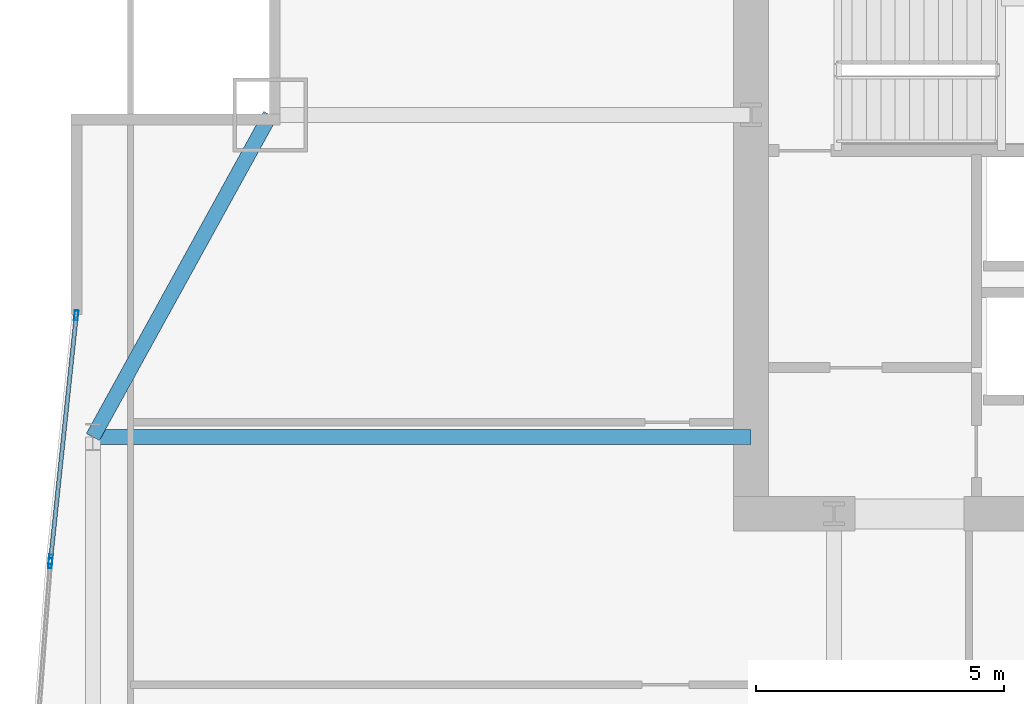
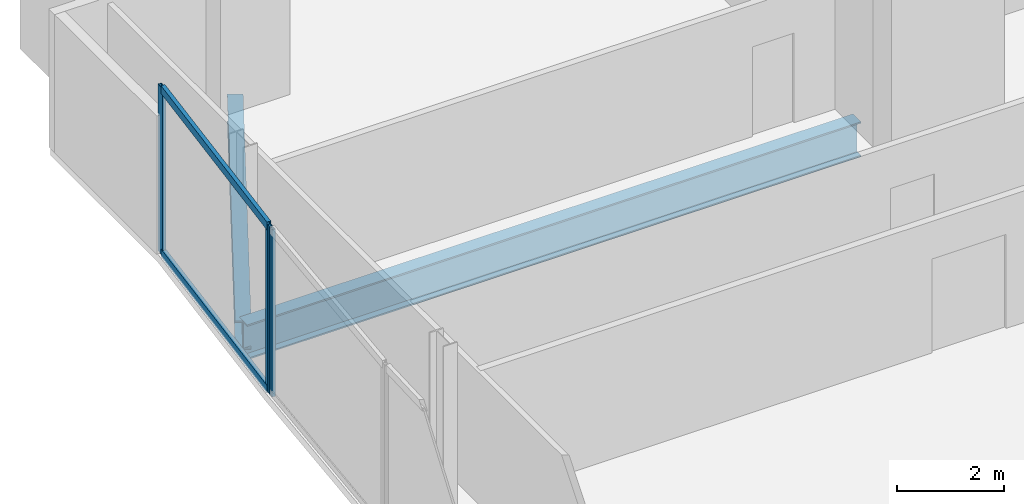
# One storey, part 17 of 30: 5 members, 2 beams, 2 elements without a shape of their own.
"""IFC4 building model written with IfcOpenShell, lengths in metres."""

from ifc_helpers import new_model, si_unit, direction, frame, origin, origin_2d, place, context, subcontext, project, spatial, hollow_rectangle, i_section, extrude, material, material_profile, profile_set, type_object, element, aggregate, save


model = new_model("IFC4")

# Units and contexts
model_context = context("Model", 3, precision=1e-05, world=origin(), true_north=direction((0.0, 1.0)))
body_context = subcontext(model_context, "Body", "Model", "MODEL_VIEW")
ifc_project = project(units=[si_unit("LENGTHUNIT", "METRE"), si_unit("AREAUNIT", "SQUARE_METRE"), si_unit("VOLUMEUNIT", "CUBIC_METRE"), si_unit("PLANEANGLEUNIT", "RADIAN"), si_unit("MASSUNIT", "GRAM", prefix="KILO")], contexts=[model_context])

# Site, building, storey
site_placement = place(None, origin())
site = spatial("IfcSite", under=ifc_project, at=site_placement, CompositionType="ELEMENT")
building_placement = place(site_placement, origin())
building = spatial("IfcBuilding", under=site, at=building_placement, Name="Khoronbel Lancet Exchange", CompositionType="ELEMENT")
storey_placement = place(building_placement, frame((0.0, 0.0, 98.60009765625)))
storey = spatial("IfcBuildingStorey", under=building, at=storey_placement, Name="L23", CompositionType="ELEMENT", Elevation=98.60009765625)

# Beams
ifc_material_1 = material(Name="Steel S355", Category="steel")
ifc_material_profile_1 = material_profile(ifc_material_1, i_section(OverallWidth=0.300048828125, OverallDepth=0.800048828125, WebThickness=0.017578125, FlangeThickness=0.032958984375, at=origin_2d()), Name="HEB 800")
ifc_profile_set_1 = profile_set([ifc_material_profile_1], Name="Steel S355")
beam_type_1 = type_object("IfcBeamType", Name="BM-BG2", PredefinedType="BEAM", material=ifc_profile_set_1)
beam_1_placement = place(storey_placement, frame((3.27001953125, 43.199951171875, -0.580078125), z_axis=(1.0, 0.0, 0.0), x_axis=(0.0, 1.0, 0.0)))
element("IfcBeam", 1, at=beam_1_placement, inside=storey, type_object=beam_type_1, Name="Level L23 west lens tie girder LG3W", PredefinedType="BEAM", context=body_context, shape_type="SweptSolid", body=[
    extrude(i_section(OverallWidth=0.300048828125, OverallDepth=0.800048828125, WebThickness=0.017578125, FlangeThickness=0.032958984375, at=origin_2d()), origin(), (0.0, 0.0, 1.0), 13.280029296875),
])
ifc_material_profile_2 = material_profile(ifc_material_1, i_section(OverallWidth=0.300048828125, OverallDepth=0.64990234375, WebThickness=0.01611328125, FlangeThickness=0.031005859375, at=origin_2d()), Name="HEB 650")
ifc_profile_set_2 = profile_set([ifc_material_profile_2], Name="Steel S355")
beam_type_2 = type_object("IfcBeamType", Name="BM-BSP1", PredefinedType="SPANDREL", material=ifc_profile_set_2)
beam_2_placement = place(storey_placement, frame((6.85009765625, 49.699951171875, -0.505126953125), z_axis=(-0.482444051088, -0.875926787791, 0.0), x_axis=(0.875926787791, -0.482444051088, 0.0)))
element("IfcBeam", 2, at=beam_2_placement, inside=storey, type_object=beam_type_2, Name="Level L23 perimeter spandrel beam SP16", PredefinedType="SPANDREL", context=body_context, shape_type="SweptSolid", body=[
    extrude(i_section(OverallWidth=0.300048828125, OverallDepth=0.64990234375, WebThickness=0.01611328125, FlangeThickness=0.031005859375, at=origin_2d()), origin(), (0.0, 0.0, 1.0), 7.420654296875),
])

# Curtain wall, member
ifc_material_2 = material(Name="Low-E Solar Control Insulating Glass", Category="glass")
curtain_wall_type = type_object("IfcCurtainWallType", Name="CW-4", PredefinedType="NOTDEFINED", material=ifc_material_2)
curtain_wall_1_placement = place(storey_placement, origin())
curtain_wall_1 = element("IfcCurtainWall", 3, at=curtain_wall_1_placement, inside=storey, type_object=curtain_wall_type, Name="Unitised curtain wall CW-L23-E08", PredefinedType="NOTDEFINED")
ifc_material_3 = material(Name="Bronze-Anodised Aluminium 6063-T6", Category="aluminium")
ifc_material_profile_3 = material_profile(ifc_material_3, hollow_rectangle(XDim=0.074951171875, YDim=0.199951171875, WallThickness=0.0048828125, at=origin_2d()), Name="ALU MULLION 75x200")
ifc_profile_set_3 = profile_set([ifc_material_profile_3], Name="Bronze-Anodised Aluminium 6063-T6")
member_type_1 = type_object("IfcMemberType", Name="MEM-CWM2", PredefinedType="MULLION", material=ifc_profile_set_3)
member_1_placement = place(storey_placement, frame((2.41162109375, 40.654541015625, 0.0), z_axis=(0.0, 0.0, 1.0), x_axis=(-0.997059882555, 0.076626304874, 0.0)))
member_1 = element("IfcMember", 4, at=member_1_placement, type_object=member_type_1, Name="CW4 mullion 2", PredefinedType="MULLION", context=body_context, shape_type="SweptSolid", body=[
    extrude(hollow_rectangle(XDim=0.074951171875, YDim=0.199951171875, WallThickness=0.0048828125, at=origin_2d()), origin(), (0.0, 0.0, 1.0), 3.81982421875),
])
aggregate(curtain_wall_1, [member_1])

# Curtain wall, members
curtain_wall_2_placement = place(storey_placement, origin())
curtain_wall_2 = element("IfcCurtainWall", 5, at=curtain_wall_2_placement, inside=storey, type_object=curtain_wall_type, Name="Unitised curtain wall CW-L23-E09", PredefinedType="NOTDEFINED")
member_2_placement = place(storey_placement, frame((2.41845703125, 40.729248046875, 0.0), z_axis=(0.0, 0.0, 1.0), x_axis=(-0.994531779003, 0.104434383958, 0.0)))
member_2 = element("IfcMember", 6, at=member_2_placement, type_object=member_type_1, Name="CW4 mullion 1", PredefinedType="MULLION", context=body_context, shape_type="SweptSolid", body=[
    extrude(hollow_rectangle(XDim=0.074951171875, YDim=0.199951171875, WallThickness=0.0048828125, at=origin_2d()), origin(), (0.0, 0.0, 1.0), 3.81982421875),
])
member_3_placement = place(storey_placement, frame((2.93603515625, 45.657958984375, 0.0), z_axis=(0.0, 0.0, 1.0), x_axis=(-0.994531779003, 0.104434383958, 0.0)))
member_3 = element("IfcMember", 7, at=member_3_placement, type_object=member_type_1, Name="CW4 mullion 2", PredefinedType="MULLION", context=body_context, shape_type="SweptSolid", body=[
    extrude(hollow_rectangle(XDim=0.074951171875, YDim=0.199951171875, WallThickness=0.0048828125, at=origin_2d()), origin(), (0.0, 0.0, 1.0), 3.81982421875),
])
ifc_material_profile_4 = material_profile(ifc_material_3, hollow_rectangle(XDim=0.0849609375, YDim=0.179931640625, WallThickness=0.0048828125, at=origin_2d()), Name="ALU TRANSOM 85x180")
ifc_profile_set_4 = profile_set([ifc_material_profile_4], Name="Bronze-Anodised Aluminium 6063-T6")
member_type_2 = type_object("IfcMemberType", Name="MEM-CWT1", PredefinedType="USERDEFINED", material=ifc_profile_set_4)
member_4_placement = place(storey_placement, frame((2.42236328125, 40.7666015625, 0.04248046875), z_axis=(0.104445225696, 0.994530640468, 0.0), x_axis=(-0.994530640468, 0.104445225696, 0.0)))
member_4 = element("IfcMember", 8, at=member_4_placement, type_object=member_type_2, Name="CW4 transom 1.1", ObjectType="TRANSOM", PredefinedType="USERDEFINED", context=body_context, shape_type="SweptSolid", body=[
    extrude(hollow_rectangle(XDim=0.0849609375, YDim=0.179931640625, WallThickness=0.0048828125, at=origin_2d()), origin(), (0.0, 0.0, 1.0), 4.880615234375),
])
member_5_placement = place(storey_placement, frame((2.42236328125, 40.7666015625, 3.77734375), z_axis=(0.104445225696, 0.994530640468, 0.0), x_axis=(-0.994530640468, 0.104445225696, 0.0)))
member_5 = element("IfcMember", 9, at=member_5_placement, type_object=member_type_2, Name="CW4 transom 1.2", ObjectType="TRANSOM", PredefinedType="USERDEFINED", context=body_context, shape_type="SweptSolid", body=[
    extrude(hollow_rectangle(XDim=0.0849609375, YDim=0.179931640625, WallThickness=0.0048828125, at=origin_2d()), origin(), (0.0, 0.0, 1.0), 4.880615234375),
])
aggregate(curtain_wall_2, [member_2, member_3, member_4, member_5])

save(model, "model.ifc")
